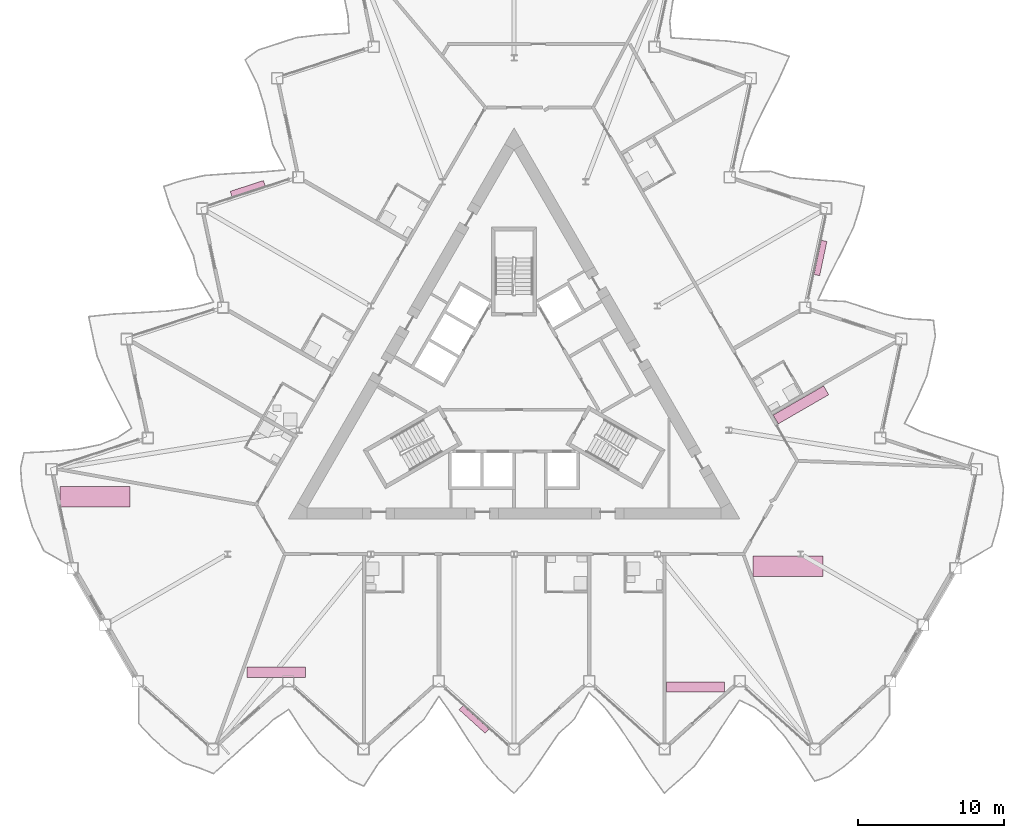
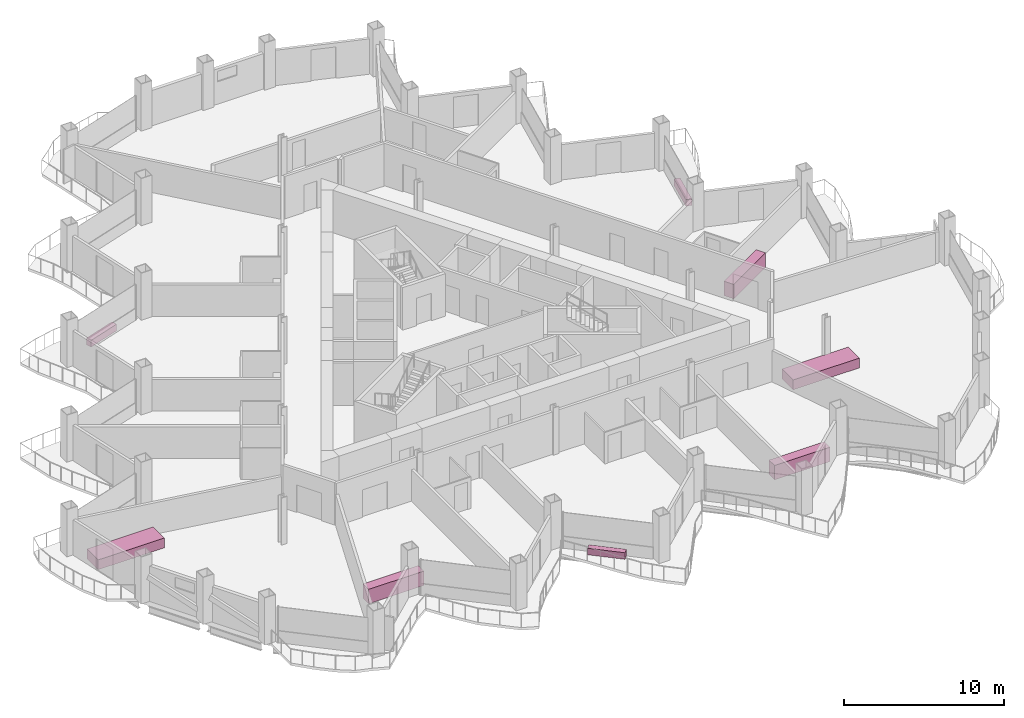
# One storey, part 23 of 23: 8 furniture elements.
"""IFC4 building model written with IfcOpenShell, lengths in metres."""

from ifc_helpers import new_model, si_unit, direction, frame, origin, origin_2d, place, context, subcontext, project, spatial, rectangle, extrude, material, type_object, element, save


model = new_model("IFC4")

# Units and contexts
model_context = context("Model", 3, precision=1e-05, world=origin(), true_north=direction((0.0, 1.0)))
body_context = subcontext(model_context, "Body", "Model", "MODEL_VIEW")
ifc_project = project(units=[si_unit("LENGTHUNIT", "METRE"), si_unit("AREAUNIT", "SQUARE_METRE"), si_unit("VOLUMEUNIT", "CUBIC_METRE"), si_unit("PLANEANGLEUNIT", "RADIAN"), si_unit("MASSUNIT", "GRAM", prefix="KILO")], contexts=[model_context])

# Site, building, storey
site_placement = place(None, origin())
site = spatial("IfcSite", under=ifc_project, at=site_placement, CompositionType="ELEMENT")
building_placement = place(site_placement, origin())
building = spatial("IfcBuilding", under=site, at=building_placement, Name="Cormorant Prow Tower", CompositionType="ELEMENT")
storey_placement = place(building_placement, frame((0.0, 0.0, 208.800048828125)))
storey = spatial("IfcBuildingStorey", under=building, at=storey_placement, Name="L46", CompositionType="ELEMENT", Elevation=208.800048828125)

# Furniture
ifc_material_1 = material(Name="Terracotta", Category="masonry")
furniture_type_1 = type_object("IfcFurnitureType", Name="Balcony planter 2400x400x500", AssemblyPlace="NOTDEFINED", PredefinedType="USERDEFINED", material=ifc_material_1)
for number, where, z_axis, x_axis, name in (
    (1, (-2.7451171875, -22.691650390625, 0.0), (0.0, 0.0, 1.0), (0.743144804304, -0.669130629874, 0.0), "Balcony planter S04"),
    (2, (21.024169921875, 8.968505859375, 0.0), (0.0, 0.0, 1.0), (0.20791171127, 0.978147596387, 0.0), "Balcony planter ENE04"),
    (3, (-18.279052734375, 13.72314453125, 0.0), (0.0, 0.0, 1.0), (-0.951056522756, -0.309016974489, 0.0), "Balcony planter WNW04"),
):
    element("IfcFurniture", number, at=place(storey_placement, frame(where, z_axis=z_axis, x_axis=x_axis)), inside=storey, type_object=furniture_type_1, Name=name, ObjectType="PLANTER", PredefinedType="USERDEFINED", context=body_context, shape_type="SweptSolid", body=[
        extrude(rectangle(XDim=2.39990234375, YDim=0.39990234375, at=origin_2d()), origin(), (0.0, 0.0, 1.0), 0.5),
    ])
ifc_material_2 = material(Name="Timber joinery", Category="wood")
furniture_type_2 = type_object("IfcFurnitureType", Name="Bar counter 4000x700", AssemblyPlace="NOTDEFINED", PredefinedType="NOTDEFINED", material=ifc_material_2)
for number, where, z_axis, x_axis, name in (
    (4, (-16.327392578125, -19.463623046875, 0.0), (0.0, 0.0, 1.0), (1.0, 0.0, 0.0), "Bar counter"),
    (5, (12.456298828125, -20.463623046875, 0.0), (0.0, 0.0, 1.0), (1.0, 0.0, 0.0), "Bar counter"),
    (6, (19.687255859375, -1.111572265625, 0.0), (0.0, 0.0, 1.0), (0.866025403784, 0.5, 0.0), "Bar counter"),
):
    element("IfcFurniture", number, at=place(storey_placement, frame(where, z_axis=z_axis, x_axis=x_axis)), inside=storey, type_object=furniture_type_2, Name=name, PredefinedType="NOTDEFINED", context=body_context, shape_type="SweptSolid", body=[
        extrude(rectangle(XDim=4.0, YDim=0.699951171875, at=origin_2d()), origin(), (0.0, 0.0, 1.0), 1.10009765625),
    ])
ifc_material_3 = material(Name="Timber joinery", Category="wood")
furniture_type_3 = type_object("IfcFurnitureType", Name="Conference table 4800x1400", AssemblyPlace="NOTDEFINED", PredefinedType="TABLE", material=ifc_material_3)
for number, where, z_axis, x_axis, name in (
    (7, (18.78515625, -12.17431640625, 0.0), (0.0, 0.0, 1.0), (1.0, 0.0, 0.0), "Conference table"),
    (8, (-28.74365234375, -7.42431640625, 0.0), (0.0, 0.0, 1.0), (1.0, 0.0, 0.0), "Conference table"),
):
    element("IfcFurniture", number, at=place(storey_placement, frame(where, z_axis=z_axis, x_axis=x_axis)), inside=storey, type_object=furniture_type_3, Name=name, PredefinedType="TABLE", context=body_context, shape_type="SweptSolid", body=[
        extrude(rectangle(XDim=4.800048828125, YDim=1.39990234375, at=origin_2d()), origin(), (0.0, 0.0, 1.0), 0.75),
    ])

save(model, "model.ifc")
